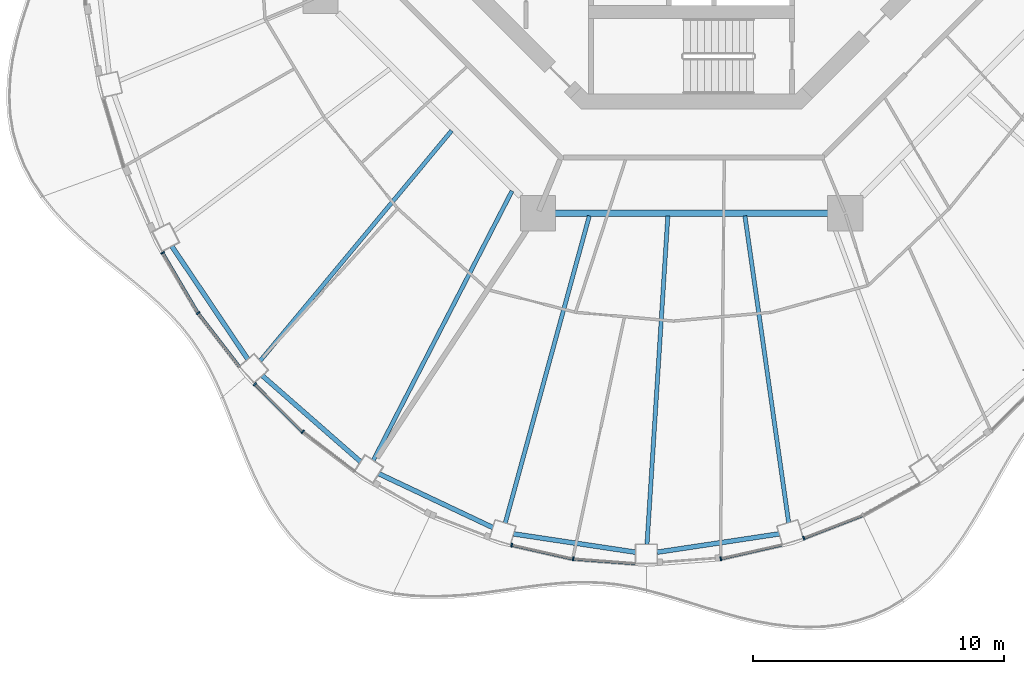
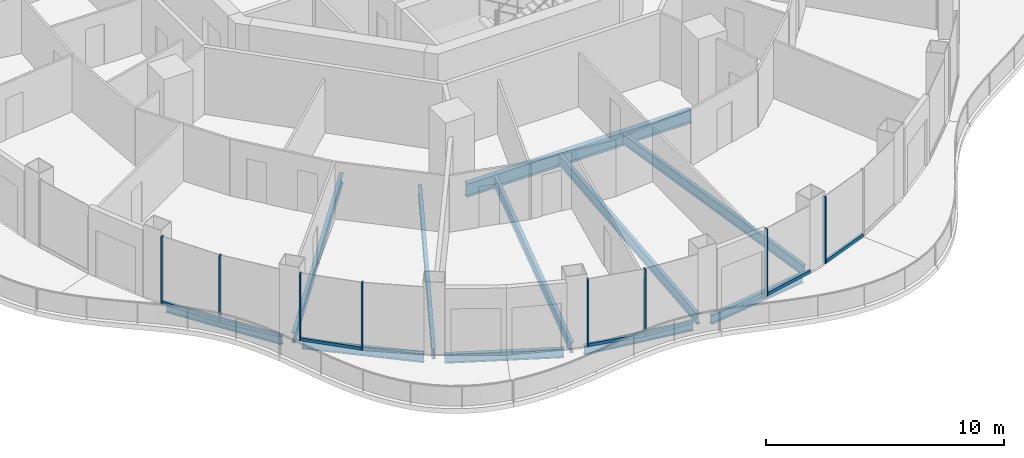
# One storey, part 2 of 17: 15 members, 11 beams, 8 elements without a shape of their own.
"""IFC4 building model written with IfcOpenShell, lengths in metres."""

import ifcopenshell
import ifcopenshell.guid

model = None  # the IFC model being written
_history = None  # IfcOwnerHistory: only IFC2X3 demands one
_inside = {}  # id of a spatial element -> (the spatial element, [elements in it])
_under = {}  # id of a project, library or spatial element -> (it, [spatial elements below it])
_declared = {}  # id of a project -> (the project, [libraries it declares])
_typed = {}  # id of a type object -> (the type object, [elements of that type])
_made_of = {}  # id of a material, layer set ... -> (it, [elements and type objects made of it])


def new_model(schema):
    """Start an empty IFC model of exactly this schema.

    Asked for "IFC4X3", IfcOpenShell would pick the latest addendum, in which some entities
    have other attributes; the version numbers below select the first issue.
    IFC2X3 requires an IfcOwnerHistory on every rooted entity: one is made here for all.
    """
    global model, _history
    if schema == "IFC4X3":
        model = ifcopenshell.file(schema_version=(4, 3, 0, 0))
    else:
        model = ifcopenshell.file(schema=schema)
    _inside.clear()
    _under.clear()
    _declared.clear()
    _typed.clear()
    _made_of.clear()
    _history = None
    if model.schema == "IFC2X3":
        org = make("IfcOrganization", Name="unknown")
        user = make(
            "IfcPersonAndOrganization",
            ThePerson=make("IfcPerson", FamilyName="unknown"),
            TheOrganization=org,
        )
        app = make(
            "IfcApplication",
            ApplicationDeveloper=org,
            Version="unknown",
            ApplicationFullName="unknown",
            ApplicationIdentifier="unknown",
        )
        _history = make(
            "IfcOwnerHistory",
            OwningUser=user,
            OwningApplication=app,
            ChangeAction="ADDED",
            CreationDate=0,
        )
    return model


def make(cls, **values):
    """One entity of the class cls with the attributes given. An attribute that is None is left unset."""
    return model.create_entity(
        cls, **{name: value for name, value in values.items() if value is not None}
    )


def rooted(cls, **values):
    """An entity with a GlobalId (a new one), such as an element, a storey or a relation."""
    return make(cls, GlobalId=ifcopenshell.guid.new(), OwnerHistory=_history, **values)


def si_unit(unit_type, name, prefix=None):
    """IfcSIUnit, for example si_unit("LENGTHUNIT", "METRE", prefix="MILLI")."""
    return make("IfcSIUnit", UnitType=unit_type, Prefix=prefix, Name=name)


def assignment(units):
    """IfcUnitAssignment: the units of a project."""
    return None if units is None else make("IfcUnitAssignment", Units=units)


def point(xyz):
    """IfcCartesianPoint."""
    return None if xyz is None else make("IfcCartesianPoint", Coordinates=xyz)


def direction(xyz):
    """IfcDirection."""
    return None if xyz is None else make("IfcDirection", DirectionRatios=xyz)


def frame(location, z_axis=None, x_axis=None):
    """IfcAxis2Placement3D, a coordinate frame: its origin and axes. An axis left out is left unset."""
    return make(
        "IfcAxis2Placement3D",
        Location=point(location),
        Axis=direction(z_axis),
        RefDirection=direction(x_axis),
    )


def frame_2d(location, x_axis=None):
    """IfcAxis2Placement2D, a coordinate frame in the plane: its origin and x axis."""
    return make(
        "IfcAxis2Placement2D", Location=point(location), RefDirection=direction(x_axis)
    )


def origin():
    """The frame at (0, 0, 0) with its axes left unset."""
    return frame((0.0, 0.0, 0.0))


def origin_2d():
    """The frame at (0, 0) in the plane with its x axis left unset."""
    return frame_2d((0.0, 0.0))


def place(relative_to, where):
    """IfcLocalPlacement: puts the frame where relative to a parent placement (None: the world)."""
    return make(
        "IfcLocalPlacement", PlacementRelTo=relative_to, RelativePlacement=where
    )


def context(
    kind, dimensions, precision=None, world=None, true_north=None, identifier=None
):
    """IfcGeometricRepresentationContext, for example the 3D "Model" context."""
    return make(
        "IfcGeometricRepresentationContext",
        ContextIdentifier=identifier,
        ContextType=kind,
        CoordinateSpaceDimension=dimensions,
        Precision=precision,
        WorldCoordinateSystem=world,
        TrueNorth=true_north,
    )


def subcontext(parent, identifier, kind, view, scale=None):
    """IfcGeometricRepresentationSubContext, for example "Body" below "Model"."""
    return make(
        "IfcGeometricRepresentationSubContext",
        ContextIdentifier=identifier,
        ContextType=kind,
        ParentContext=parent,
        TargetScale=scale,
        TargetView=view,
    )


def project(units=None, contexts=None):
    """IfcProject with its units and contexts."""
    return rooted(
        "IfcProject",
        Name="project",
        RepresentationContexts=contexts,
        UnitsInContext=assignment(units),
    )


def spatial(cls, under=None, at=None, **own):
    """A site, building, storey or space (cls), placed at a placement, below another one or the project."""
    s = rooted(cls, ObjectPlacement=at, **own)
    if under is not None:
        _under.setdefault(under.id(), (under, []))[1].append(s)
    return s


def profile(cls, at=None, kind="AREA", **sizes):
    """A parametric profile (cls). Its sizes go by their IFC names, for example OverallWidth=200.0."""
    return make(cls, ProfileType=kind, Position=at, **sizes)


def rectangle(**sizes):
    """IfcRectangleProfileDef."""
    return profile("IfcRectangleProfileDef", **sizes)


def i_section(**sizes):
    """IfcIShapeProfileDef."""
    return profile("IfcIShapeProfileDef", **sizes)


def extrude(swept, where, along, depth):
    """IfcExtrudedAreaSolid: the profile swept, set in the frame where, extruded along a direction by depth."""
    return make(
        "IfcExtrudedAreaSolid",
        SweptArea=swept,
        Position=where,
        ExtrudedDirection=direction(along),
        Depth=depth,
    )


def shape(context_of_items, identifier, shape_type, items):
    """IfcShapeRepresentation: the items that make up one representation, for example the "Body"."""
    return make(
        "IfcShapeRepresentation",
        ContextOfItems=context_of_items,
        RepresentationIdentifier=identifier,
        RepresentationType=shape_type,
        Items=items,
    )


def material(Name=None, Category=None):
    """IfcMaterial."""
    return make("IfcMaterial", Name=Name, Category=Category)


def layer(
    of_material, thickness, ventilated=None, Name=None, Category=None, Priority=None
):
    """IfcMaterialLayer: one layer of a wall or slab, of a material (None: an air gap)."""
    return make(
        "IfcMaterialLayer",
        Material=of_material,
        LayerThickness=thickness,
        IsVentilated=ventilated,
        Name=Name,
        Category=Category,
        Priority=Priority,
    )


def layer_set(layers, Name=None):
    """IfcMaterialLayerSet."""
    return make("IfcMaterialLayerSet", MaterialLayers=layers, LayerSetName=Name)


def material_profile(
    of_material, cross_section, Name=None, Category=None, Priority=None
):
    """IfcMaterialProfile: a cross section and its material."""
    return make(
        "IfcMaterialProfile",
        Name=Name,
        Material=of_material,
        Profile=cross_section,
        Priority=Priority,
        Category=Category,
    )


def profile_set(profiles, Name=None, composite=None):
    """IfcMaterialProfileSet."""
    return make(
        "IfcMaterialProfileSet",
        Name=Name,
        MaterialProfiles=profiles,
        CompositeProfile=composite,
    )


def made_of(thing, what):
    """Note that an element or type object is made of a material, layer set ...; save() writes the relation."""
    if what is not None:
        _made_of.setdefault(what.id(), (what, []))[1].append(thing)
    return thing


def type_object(cls, material=None, **own):
    """A type object (cls), such as IfcWallType, which elements share."""
    return made_of(rooted(cls, **own), material)


def element(
    cls,
    number,
    at=None,
    inside=None,
    cuts=None,
    type_object=None,
    material=None,
    context=None,
    identifier="Body",
    shape_type=None,
    held_by="IfcProductDefinitionShape",
    body=None,
    shapes=None,
    **own,
):
    """One element of the class cls, such as IfcWall. Its Tag is "e" and its number.

    at: its placement. inside: the storey or other place that contains it. cuts: it is an
    opening in that element (IfcRelVoidsElement). A single representation is given by context,
    identifier, shape_type and body (its items); several are given by shapes. held_by: the class
    of the entity that holds the representations. save() writes the other relations.
    """
    e = rooted(cls, Tag="e%d" % number, ObjectPlacement=at, **own)
    if body is not None:
        shapes = [shape(context, identifier, shape_type, body)]
    if shapes is not None:
        e.Representation = make(held_by, Representations=shapes)
    if inside is not None:
        _inside.setdefault(inside.id(), (inside, []))[1].append(e)
    if cuts is not None:
        rooted(
            "IfcRelVoidsElement", RelatingBuildingElement=cuts, RelatedOpeningElement=e
        )
    if type_object is not None:
        _typed.setdefault(type_object.id(), (type_object, []))[1].append(e)
    return made_of(e, material)


def aggregate(whole, parts):
    """IfcRelAggregates: a whole, such as a stair, and the parts it consists of."""
    return rooted("IfcRelAggregates", RelatingObject=whole, RelatedObjects=parts)


def save(model, path):
    """Write the relations noted so far, then the file.

    IfcRelAggregates (storeys below a building ...), IfcRelContainedInSpatialStructure (elements
    in a storey), IfcRelDefinesByType, IfcRelAssociatesMaterial and IfcRelDeclares: one each for
    every whole, place, type object, material and project.
    """
    for whole, parts in _under.values():
        aggregate(whole, parts)
    for where, things in _inside.values():
        rooted(
            "IfcRelContainedInSpatialStructure",
            RelatedElements=things,
            RelatingStructure=where,
        )
    for kind, things in _typed.values():
        rooted("IfcRelDefinesByType", RelatedObjects=things, RelatingType=kind)
    for what, things in _made_of.values():
        rooted("IfcRelAssociatesMaterial", RelatedObjects=things, RelatingMaterial=what)
    for by, libraries in _declared.values():
        rooted("IfcRelDeclares", RelatingContext=by, RelatedDefinitions=libraries)
    model.write(path)


model = new_model("IFC4")

# Units and contexts
model_context = context("Model", 3, precision=1e-05, world=origin(), true_north=direction((0.0, 1.0)))
body_context = subcontext(model_context, "Body", "Model", "MODEL_VIEW")
ifc_project = project(units=[si_unit("LENGTHUNIT", "METRE"), si_unit("AREAUNIT", "SQUARE_METRE"), si_unit("VOLUMEUNIT", "CUBIC_METRE"), si_unit("PLANEANGLEUNIT", "RADIAN"), si_unit("MASSUNIT", "GRAM", prefix="KILO")], contexts=[model_context])

# Site, building, storey
site_placement = place(None, origin())
site = spatial("IfcSite", under=ifc_project, at=site_placement, CompositionType="ELEMENT")
building_placement = place(site_placement, origin())
building = spatial("IfcBuilding", under=site, at=building_placement, Name="Nagisa Residences", CompositionType="ELEMENT")
storey_placement = place(building_placement, frame((0.0, 0.0, 262.199951171875)))
storey = spatial("IfcBuildingStorey", under=building, at=storey_placement, Name="L66", CompositionType="ELEMENT", Elevation=262.199951171875)

# Curtain wall, member
ifc_material_1 = material(Name="Concrete-coloured aluminium curtain wall system", Category="concrete")
ifc_layer = layer(ifc_material_1, 0.159912109375)
ifc_layer_set = layer_set([ifc_layer], Name="CW1 CURTAIN WALL")
curtain_wall_type = type_object("IfcCurtainWallType", Name="CW1 CURTAIN WALL", PredefinedType="NOTDEFINED", material=ifc_layer_set)
curtain_wall_1_placement = place(storey_placement, origin())
curtain_wall_1 = element("IfcCurtainWall", 1, at=curtain_wall_1_placement, inside=storey, type_object=curtain_wall_type, Name="cw:CW1:L66:28", PredefinedType="NOTDEFINED")
ifc_material_2 = material(Name="Concrete-coloured aluminium", Category="concrete")
ifc_material_profile_1 = material_profile(ifc_material_2, rectangle(XDim=0.159912109375, YDim=0.06005859375, at=origin_2d()), Name="CW1 MULLION 160x60")
ifc_profile_set_1 = profile_set([ifc_material_profile_1], Name="Concrete-coloured aluminium")
member_type_1 = type_object("IfcMemberType", Name="CW1 MULLION 160x60", PredefinedType="MULLION", material=ifc_profile_set_1)
member_1_placement = place(storey_placement, frame((-21.077392578125, -16.361083984375, 0.0), z_axis=(0.0, 0.0, 1.0), x_axis=(0.862328898214, 0.506348567002, 0.0)))
member_1 = element("IfcMember", 2, at=member_1_placement, type_object=member_type_1, Name="CW1 mullion", PredefinedType="MULLION", context=body_context, shape_type="SweptSolid", body=[
    extrude(rectangle(XDim=0.159912109375, YDim=0.06005859375, at=origin_2d()), origin(), (0.0, 0.0, 1.0), 3.43994140625),
])

curtain_wall_2_placement = place(storey_placement, origin())
curtain_wall_2 = element("IfcCurtainWall", 3, at=curtain_wall_2_placement, inside=storey, type_object=curtain_wall_type, Name="cw:CW1:L66:29", PredefinedType="NOTDEFINED")
member_2_placement = place(storey_placement, frame((-19.6640625, -18.76220703125, 0.0), z_axis=(0.0, 0.0, 1.0), x_axis=(0.792070340816, 0.610429828235, 0.0)))
member_2 = element("IfcMember", 4, at=member_2_placement, type_object=member_type_1, Name="CW1 mullion", PredefinedType="MULLION", context=body_context, shape_type="SweptSolid", body=[
    extrude(rectangle(XDim=0.159912109375, YDim=0.06005859375, at=origin_2d()), origin(), (0.0, 0.0, 1.0), 3.43994140625),
])

curtain_wall_3_placement = place(storey_placement, origin())
curtain_wall_3 = element("IfcCurtainWall", 5, at=curtain_wall_3_placement, inside=storey, type_object=curtain_wall_type, Name="cw:CW1:L66:30", PredefinedType="NOTDEFINED")
member_3_placement = place(storey_placement, frame((-17.3984375, -21.60107421875, 0.0), z_axis=(0.0, 0.0, 1.0), x_axis=(0.706376885714, 0.707835924016, 0.0)))
member_3 = element("IfcMember", 6, at=member_3_placement, type_object=member_type_1, Name="CW1 mullion", PredefinedType="MULLION", context=body_context, shape_type="SweptSolid", body=[
    extrude(rectangle(XDim=0.159912109375, YDim=0.06005859375, at=origin_2d()), origin(), (0.0, 0.0, 1.0), 3.43994140625),
])

curtain_wall_4_placement = place(storey_placement, origin())
curtain_wall_4 = element("IfcCurtainWall", 7, at=curtain_wall_4_placement, inside=storey, type_object=curtain_wall_type, Name="cw:CW1:L66:31", PredefinedType="NOTDEFINED")
member_4_placement = place(storey_placement, frame((-15.497802734375, -23.4931640625, 0.0), z_axis=(0.0, 0.0, 1.0), x_axis=(0.605255421737, 0.79603132756, 0.0)))
member_4 = element("IfcMember", 8, at=member_4_placement, type_object=member_type_1, Name="CW1 mullion", PredefinedType="MULLION", context=body_context, shape_type="SweptSolid", body=[
    extrude(rectangle(XDim=0.159912109375, YDim=0.06005859375, at=origin_2d()), origin(), (0.0, 0.0, 1.0), 3.43994140625),
])
aggregate(curtain_wall_4, [member_4])

curtain_wall_5_placement = place(storey_placement, origin())
curtain_wall_5 = element("IfcCurtainWall", 9, at=curtain_wall_5_placement, inside=storey, type_object=curtain_wall_type, Name="cw:CW1:L66:34", PredefinedType="NOTDEFINED")
member_5_placement = place(storey_placement, frame((-7.168701171875, -28.008544921875, 0.0), z_axis=(0.0, 0.0, 1.0), x_axis=(0.2207639201, 0.975327274089, 0.0)))
member_5 = element("IfcMember", 10, at=member_5_placement, type_object=member_type_1, Name="CW1 mullion", PredefinedType="MULLION", context=body_context, shape_type="SweptSolid", body=[
    extrude(rectangle(XDim=0.159912109375, YDim=0.06005859375, at=origin_2d()), origin(), (0.0, 0.0, 1.0), 3.43994140625),
])

curtain_wall_6_placement = place(storey_placement, origin())
curtain_wall_6 = element("IfcCurtainWall", 11, at=curtain_wall_6_placement, inside=storey, type_object=curtain_wall_type, Name="cw:CW1:L66:35", PredefinedType="NOTDEFINED")
member_6_placement = place(storey_placement, frame((-4.716552734375, -28.559814453125, 0.0), z_axis=(0.0, 0.0, 1.0), x_axis=(0.074377355493, 0.997230168512, 0.0)))
member_6 = element("IfcMember", 12, at=member_6_placement, type_object=member_type_1, Name="CW1 mullion", PredefinedType="MULLION", context=body_context, shape_type="SweptSolid", body=[
    extrude(rectangle(XDim=0.159912109375, YDim=0.06005859375, at=origin_2d()), origin(), (0.0, 0.0, 1.0), 3.43994140625),
])

curtain_wall_7_placement = place(storey_placement, origin())
curtain_wall_7 = element("IfcCurtainWall", 13, at=curtain_wall_7_placement, inside=storey, type_object=curtain_wall_type, Name="cw:CW1:L66:37", PredefinedType="NOTDEFINED")
member_7_placement = place(storey_placement, frame((1.1640625, -28.552734375, 0.0), z_axis=(0.0, 0.0, 1.0), x_axis=(-0.2207639201, 0.975327274089, 0.0)))
member_7 = element("IfcMember", 14, at=member_7_placement, type_object=member_type_1, Name="CW1 mullion", PredefinedType="MULLION", context=body_context, shape_type="SweptSolid", body=[
    extrude(rectangle(XDim=0.159912109375, YDim=0.06005859375, at=origin_2d()), origin(), (0.0, 0.0, 1.0), 3.43994140625),
])

curtain_wall_8_placement = place(storey_placement, origin())
curtain_wall_8 = element("IfcCurtainWall", 15, at=curtain_wall_8_placement, inside=storey, type_object=curtain_wall_type, Name="cw:CW1:L66:38", PredefinedType="NOTDEFINED")
member_8_placement = place(storey_placement, frame((4.473388671875, -27.733154296875, 0.0), z_axis=(0.0, 0.0, 1.0), x_axis=(-0.360327770268, 0.932825759707, 0.0)))
member_8 = element("IfcMember", 16, at=member_8_placement, type_object=member_type_1, Name="CW1 mullion", PredefinedType="MULLION", context=body_context, shape_type="SweptSolid", body=[
    extrude(rectangle(XDim=0.159912109375, YDim=0.06005859375, at=origin_2d()), origin(), (0.0, 0.0, 1.0), 3.43994140625),
])

# Member
ifc_material_3 = material(Name="Concrete-coloured aluminium", Category="concrete")
ifc_material_profile_2 = material_profile(ifc_material_3, rectangle(XDim=0.1201171875, YDim=0.14990234375, at=origin_2d()), Name="CW1 TRANSOM 120x150")
ifc_profile_set_2 = profile_set([ifc_material_profile_2], Name="Concrete-coloured aluminium")
member_type_2 = type_object("IfcMemberType", Name="CW1 TRANSOM 120x150", PredefinedType="USERDEFINED", material=ifc_profile_set_2)
member_9_placement = place(storey_placement, frame((-21.0927734375, -16.335205078125, 0.074951171875), z_axis=(0.506371364425, -0.862315511452, 0.0), x_axis=(0.862315511452, 0.506371364425, 0.0)))
member_9 = element("IfcMember", 17, at=member_9_placement, type_object=member_type_2, Name="CW1 transom", ObjectType="TRANSOM", PredefinedType="USERDEFINED", context=body_context, shape_type="SweptSolid", body=[
    extrude(rectangle(XDim=0.1201171875, YDim=0.14990234375, at=origin_2d()), origin(), (0.0, 0.0, 1.0), 2.79638671875),
])

aggregate(curtain_wall_1, [member_1, member_9])

member_10_placement = place(storey_placement, frame((-19.682373046875, -18.73828125, 0.074951171875), z_axis=(0.610432336622, -0.792068407656, 0.0), x_axis=(0.792068407656, 0.610432336622, 0.0)))
member_10 = element("IfcMember", 18, at=member_10_placement, type_object=member_type_2, Name="CW1 transom", ObjectType="TRANSOM", PredefinedType="USERDEFINED", context=body_context, shape_type="SweptSolid", body=[
    extrude(rectangle(XDim=0.1201171875, YDim=0.14990234375, at=origin_2d()), origin(), (0.0, 0.0, 1.0), 2.74609375),
])

aggregate(curtain_wall_2, [member_2, member_10])

member_11_placement = place(storey_placement, frame((-17.419677734375, -21.579833984375, 0.074951171875), z_axis=(0.707831739508, -0.706381078841, 0.0), x_axis=(0.706381078841, 0.707831739508, 0.0)))
member_11 = element("IfcMember", 19, at=member_11_placement, type_object=member_type_2, Name="CW1 transom", ObjectType="TRANSOM", PredefinedType="USERDEFINED", context=body_context, shape_type="SweptSolid", body=[
    extrude(rectangle(XDim=0.1201171875, YDim=0.14990234375, at=origin_2d()), origin(), (0.0, 0.0, 1.0), 2.692626953125),
])

aggregate(curtain_wall_3, [member_3, member_11])

member_12_placement = place(storey_placement, frame((-7.197998046875, -28.001953125, 0.074951171875), z_axis=(0.975319584032, -0.220797891756, 0.0), x_axis=(0.220797891756, 0.975319584032, 0.0)))
member_12 = element("IfcMember", 20, at=member_12_placement, type_object=member_type_2, Name="CW1 transom", ObjectType="TRANSOM", PredefinedType="USERDEFINED", context=body_context, shape_type="SweptSolid", body=[
    extrude(rectangle(XDim=0.1201171875, YDim=0.14990234375, at=origin_2d()), origin(), (0.0, 0.0, 1.0), 2.525390625),
])

aggregate(curtain_wall_5, [member_5, member_12])

member_13_placement = place(storey_placement, frame((-4.74658203125, -28.5576171875, 0.074951171875), z_axis=(0.99722914645, -0.074391057731, 0.0), x_axis=(0.074391057731, 0.99722914645, 0.0)))
member_13 = element("IfcMember", 21, at=member_13_placement, type_object=member_type_2, Name="CW1 transom", ObjectType="TRANSOM", PredefinedType="USERDEFINED", context=body_context, shape_type="SweptSolid", body=[
    extrude(rectangle(XDim=0.1201171875, YDim=0.14990234375, at=origin_2d()), origin(), (0.0, 0.0, 1.0), 2.510498046875),
])

aggregate(curtain_wall_6, [member_6, member_13])

member_14_placement = place(storey_placement, frame((1.134765625, -28.5595703125, 0.074951171875), z_axis=(0.975319584032, 0.220797891756, 0.0), x_axis=(-0.220797891756, 0.975319584032, 0.0)))
member_14 = element("IfcMember", 22, at=member_14_placement, type_object=member_type_2, Name="CW1 transom", ObjectType="TRANSOM", PredefinedType="USERDEFINED", context=body_context, shape_type="SweptSolid", body=[
    extrude(rectangle(XDim=0.1201171875, YDim=0.14990234375, at=origin_2d()), origin(), (0.0, 0.0, 1.0), 2.525390625),
])

aggregate(curtain_wall_7, [member_7, member_14])

member_15_placement = place(storey_placement, frame((4.4453125, -27.743896484375, 0.074951171875), z_axis=(0.93282223778, 0.360336887792, 0.0), x_axis=(-0.360336887792, 0.93282223778, 0.0)))
member_15 = element("IfcMember", 23, at=member_15_placement, type_object=member_type_2, Name="CW1 transom", ObjectType="TRANSOM", PredefinedType="USERDEFINED", context=body_context, shape_type="SweptSolid", body=[
    extrude(rectangle(XDim=0.1201171875, YDim=0.14990234375, at=origin_2d()), origin(), (0.0, 0.0, 1.0), 2.5537109375),
])

aggregate(curtain_wall_8, [member_8, member_15])

# Beams
ifc_material_4 = material(Name="Steel ASTM A572 Gr 50", Category="steel")
ifc_material_profile_3 = material_profile(ifc_material_4, i_section(OverallWidth=0.2529296875, OverallDepth=0.677978515625, WebThickness=0.01171875, FlangeThickness=0.016357421875, at=origin_2d()), Name="W690x125")
ifc_profile_set_3 = profile_set([ifc_material_profile_3], Name="Steel ASTM A572 Gr 50")
beam_type_1 = type_object("IfcBeamType", Name="Inner ring beam W690x125", PredefinedType="BEAM", material=ifc_profile_set_3)
beam_1_placement = place(storey_placement, frame((-5.44287109375, -14.781982421875, -0.598876953125), z_axis=(1.0, 0.0, 0.0), x_axis=(0.0, 1.0, 0.0)))
element("IfcBeam", 24, at=beam_1_placement, inside=storey, type_object=beam_type_1, Name="beam:L66:ib6", PredefinedType="BEAM", context=body_context, shape_type="SweptSolid", body=[
    extrude(i_section(OverallWidth=0.2529296875, OverallDepth=0.677978515625, WebThickness=0.01171875, FlangeThickness=0.016357421875, at=origin_2d()), origin(), (0.0, 0.0, 1.0), 10.8857421875),
])
ifc_material_5 = material(Name="Steel ASTM A572 Gr 50", Category="steel")
ifc_material_profile_4 = material_profile(ifc_material_5, i_section(OverallWidth=0.18994140625, OverallDepth=0.45703125, WebThickness=0.009033203125, FlangeThickness=0.014404296875, at=origin_2d()), Name="W460x74")
ifc_profile_set_4 = profile_set([ifc_material_profile_4], Name="Steel ASTM A572 Gr 50")
beam_type_2 = type_object("IfcBeamType", Name="Perimeter ring beam W460x74", PredefinedType="BEAM", material=ifc_profile_set_4)
beam_2_placement = place(storey_placement, frame((-20.714599609375, -16.097412109375, -0.488525390625), z_axis=(0.558014665254, -0.829831087247, 0.0), x_axis=(0.829831087247, 0.558014665254, 0.0)))
element("IfcBeam", 25, at=beam_2_placement, inside=storey, type_object=beam_type_2, Name="beam:L66:pb15", PredefinedType="BEAM", context=body_context, shape_type="SweptSolid", body=[
    extrude(i_section(OverallWidth=0.18994140625, OverallDepth=0.45703125, WebThickness=0.009033203125, FlangeThickness=0.014404296875, at=origin_2d()), origin(), (0.0, 0.0, 1.0), 5.43212890625),
])
beam_3_placement = place(storey_placement, frame((-17.11474609375, -21.2509765625, -0.488525390625), z_axis=(0.752365189148, -0.658746250204, 0.0), x_axis=(0.658746250204, 0.752365189148, 0.0)))
element("IfcBeam", 26, at=beam_3_placement, inside=storey, type_object=beam_type_2, Name="beam:L66:pb16", PredefinedType="BEAM", context=body_context, shape_type="SweptSolid", body=[
    extrude(i_section(OverallWidth=0.18994140625, OverallDepth=0.45703125, WebThickness=0.009033203125, FlangeThickness=0.014404296875, at=origin_2d()), origin(), (0.0, 0.0, 1.0), 5.220947265625),
])
beam_4_placement = place(storey_placement, frame((-12.46728515625, -25.161865234375, -0.488525390625), z_axis=(0.904115893837, -0.427287316113, 0.0), x_axis=(0.427287316113, 0.904115893837, 0.0)))
element("IfcBeam", 27, at=beam_4_placement, inside=storey, type_object=beam_type_2, Name="beam:L66:pb17", PredefinedType="BEAM", context=body_context, shape_type="SweptSolid", body=[
    extrude(i_section(OverallWidth=0.18994140625, OverallDepth=0.45703125, WebThickness=0.009033203125, FlangeThickness=0.014404296875, at=origin_2d()), origin(), (0.0, 0.0, 1.0), 5.031494140625),
])
beam_5_placement = place(storey_placement, frame((-7.094970703125, -27.562255859375, -0.488525390625), z_axis=(0.98890648267, -0.148539451101, 0.0), x_axis=(0.148539451101, 0.98890648267, 0.0)))
element("IfcBeam", 28, at=beam_5_placement, inside=storey, type_object=beam_type_2, Name="beam:L66:pb18", PredefinedType="BEAM", context=body_context, shape_type="SweptSolid", body=[
    extrude(i_section(OverallWidth=0.18994140625, OverallDepth=0.45703125, WebThickness=0.009033203125, FlangeThickness=0.014404296875, at=origin_2d()), origin(), (0.0, 0.0, 1.0), 4.91943359375),
])
beam_6_placement = place(storey_placement, frame((-1.369873046875, -28.29296875, -0.488525390625), z_axis=(0.988907577601, 0.148532161377, 0.0), x_axis=(-0.148532161377, 0.988907577601, 0.0)))
element("IfcBeam", 29, at=beam_6_placement, inside=storey, type_object=beam_type_2, Name="beam:L66:pb19", PredefinedType="BEAM", context=body_context, shape_type="SweptSolid", body=[
    extrude(i_section(OverallWidth=0.18994140625, OverallDepth=0.45703125, WebThickness=0.009033203125, FlangeThickness=0.014404296875, at=origin_2d()), origin(), (0.0, 0.0, 1.0), 4.919677734375),
])
ifc_material_6 = material(Name="Steel ASTM A572 Gr 50", Category="steel")
ifc_material_profile_5 = material_profile(ifc_material_6, i_section(OverallWidth=0.166015625, OverallDepth=0.534912109375, WebThickness=0.01025390625, FlangeThickness=0.0166015625, at=origin_2d()), Name="W530x85")
ifc_profile_set_5 = profile_set([ifc_material_profile_5], Name="Steel ASTM A572 Gr 50")
beam_type_3 = type_object("IfcBeamType", Name="Radial beam W530x85", PredefinedType="BEAM", material=ifc_profile_set_5)
beam_7_placement = place(storey_placement, frame((-17.195068359375, -20.669189453125, -0.52734375), z_axis=(0.639540330466, 0.768757546764, 0.0), x_axis=(-0.768757546764, 0.639540330466, 0.0)))
element("IfcBeam", 30, at=beam_7_placement, inside=storey, type_object=beam_type_3, Name="beam:L66:rb16", PredefinedType="BEAM", context=body_context, shape_type="SweptSolid", body=[
    extrude(i_section(OverallWidth=0.166015625, OverallDepth=0.534912109375, WebThickness=0.01025390625, FlangeThickness=0.0166015625, at=origin_2d()), origin(), (0.0, 0.0, 1.0), 11.935302734375),
])
beam_8_placement = place(storey_placement, frame((-12.68505859375, -24.63623046875, -0.52734375), z_axis=(0.457775990682, 0.88906756906, 0.0), x_axis=(-0.88906756906, 0.457775990682, 0.0)))
element("IfcBeam", 31, at=beam_8_placement, inside=storey, type_object=beam_type_3, Name="beam:L66:rb17", PredefinedType="BEAM", context=body_context, shape_type="SweptSolid", body=[
    extrude(i_section(OverallWidth=0.166015625, OverallDepth=0.534912109375, WebThickness=0.01025390625, FlangeThickness=0.0166015625, at=origin_2d()), origin(), (0.0, 0.0, 1.0), 12.075927734375),
])
beam_9_placement = place(storey_placement, frame((-7.4248046875, -27.130859375, -0.52734375), z_axis=(0.263957181957, 0.964534398606, 0.0), x_axis=(-0.964534398606, 0.263957181957, 0.0)))
element("IfcBeam", 32, at=beam_9_placement, inside=storey, type_object=beam_type_3, Name="beam:L66:rb18", PredefinedType="BEAM", context=body_context, shape_type="SweptSolid", body=[
    extrude(i_section(OverallWidth=0.166015625, OverallDepth=0.534912109375, WebThickness=0.01025390625, FlangeThickness=0.0166015625, at=origin_2d()), origin(), (0.0, 0.0, 1.0), 12.69189453125),
])
beam_10_placement = place(storey_placement, frame((-1.77587890625, -27.9775390625, -0.52734375), z_axis=(0.06334711, 0.997991554901, 0.0), x_axis=(-0.997991554901, 0.06334711, 0.0)))
element("IfcBeam", 33, at=beam_10_placement, inside=storey, type_object=beam_type_3, Name="beam:L66:rb19", PredefinedType="BEAM", context=body_context, shape_type="SweptSolid", body=[
    extrude(i_section(OverallWidth=0.166015625, OverallDepth=0.534912109375, WebThickness=0.01025390625, FlangeThickness=0.0166015625, at=origin_2d()), origin(), (0.0, 0.0, 1.0), 13.115234375),
])
beam_11_placement = place(storey_placement, frame((3.87060546875, -27.11669921875, -0.52734375), z_axis=(-0.141302367909, 0.989966484697, 0.0), x_axis=(-0.989966484697, -0.141302367909, 0.0)))
element("IfcBeam", 34, at=beam_11_placement, inside=storey, type_object=beam_type_3, Name="beam:L66:rb20", PredefinedType="BEAM", context=body_context, shape_type="SweptSolid", body=[
    extrude(i_section(OverallWidth=0.166015625, OverallDepth=0.534912109375, WebThickness=0.01025390625, FlangeThickness=0.0166015625, at=origin_2d()), origin(), (0.0, 0.0, 1.0), 12.35205078125),
])

save(model, "model.ifc")
